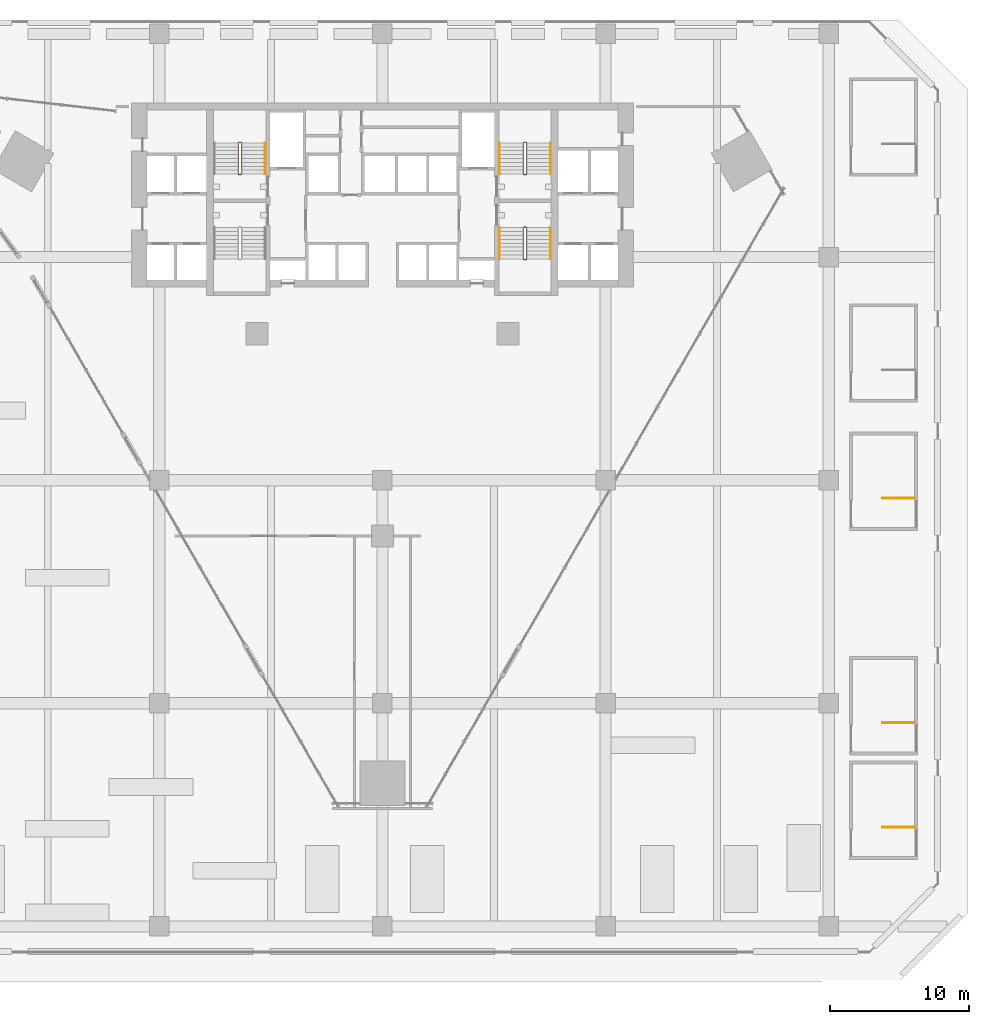
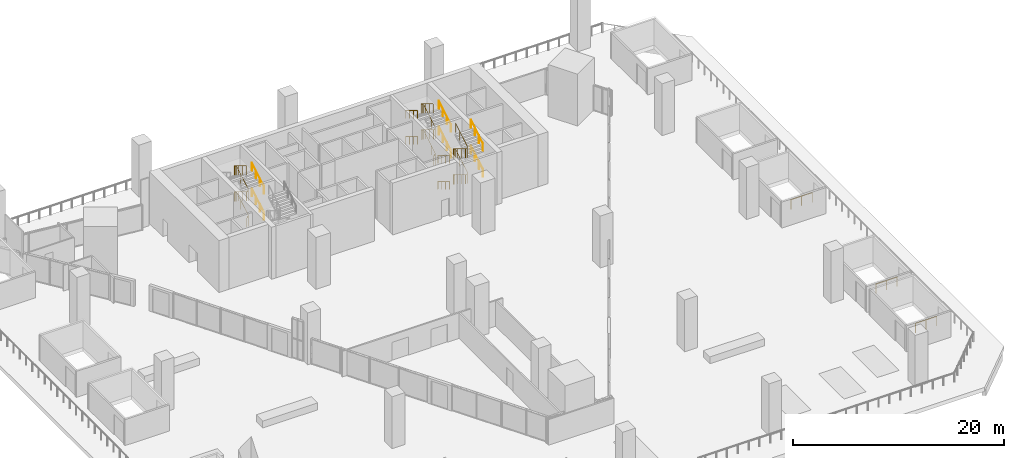
# One storey, part 24 of 25: 16 railings.
"""IFC4 building model written with IfcOpenShell, lengths in metres."""

from ifc_helpers import new_model, si_unit, direction, frame, origin, origin_2d, place, context, subcontext, project, spatial, circle, extrude, material, type_object, element, save


model = new_model("IFC4")

# Units and contexts
model_context = context("Model", 3, precision=1e-05, world=origin(), true_north=direction((0.0, 1.0)))
body_context = subcontext(model_context, "Body", "Model", "MODEL_VIEW")
ifc_project = project(units=[si_unit("LENGTHUNIT", "METRE"), si_unit("AREAUNIT", "SQUARE_METRE"), si_unit("VOLUMEUNIT", "CUBIC_METRE"), si_unit("PLANEANGLEUNIT", "RADIAN"), si_unit("MASSUNIT", "GRAM", prefix="KILO")], contexts=[model_context])

# Site, building, storey
site_placement = place(None, origin())
site = spatial("IfcSite", under=ifc_project, at=site_placement, CompositionType="ELEMENT")
building_placement = place(site_placement, origin())
building = spatial("IfcBuilding", under=site, at=building_placement, Name="Calabash Gate Tower", CompositionType="ELEMENT")
storey_placement = place(building_placement, frame((0.0, 0.0, 40.0)))
storey = spatial("IfcBuildingStorey", under=building, at=storey_placement, Name="L05", CompositionType="ELEMENT", Elevation=40.0)

# Railings
ifc_material_1 = material(Name="Black powder-coated steel balusters", Category="steel")
railing_type_1 = type_object("IfcRailingType", Name="Stair guard RL1100", PredefinedType="GUARDRAIL", material=ifc_material_1)
railing_1_placement = place(storey_placement, frame((-10.14990234375, 13.902587890625, 0.0)))
element("IfcRailing", 1, at=railing_1_placement, inside=storey, type_object=railing_type_1, Name="L05 ST1 stair guard 1", PredefinedType="GUARDRAIL", context=body_context, shape_type="SweptSolid", body=[
    extrude(circle(Radius=0.02392578125, at=origin_2d()), frame((0.0, 0.0, 1.076171875), z_axis=(-1.0, 0.0, 0.0), x_axis=(0.0, -1.0, 0.0)), (0.0, 0.0, 1.0), 0.150146484375),
    extrude(circle(Radius=0.02392578125, at=origin_2d()), frame((-0.150146484375, 0.0, 1.076171875), z_axis=(0.754182335027, 0.188775798145, 0.628945707965), x_axis=(-0.242814311512, 0.970072785993, 0.0)), (0.0, 0.0, 1.0), 0.26513671875),
    extrude(circle(Radius=0.02392578125, at=origin_2d()), frame((0.0498046875, 0.050048828125, 1.24267578125), z_axis=(0.0, 0.858493888361, 0.512823793955), x_axis=(-1.0, 0.0, 0.0)), (0.0, 0.0, 1.0), 2.599853515625),
    extrude(circle(Radius=0.02392578125, at=origin_2d()), frame((0.0498046875, 2.281982421875, 2.576171875), z_axis=(-0.705375805398, 0.708833529934, 0.0), x_axis=(-0.708833529934, -0.705375805398, 0.0)), (0.0, 0.0, 1.0), 0.070556640625),
    extrude(circle(Radius=0.02392578125, at=origin_2d()), frame((0.0, 2.33203125, 2.576171875), z_axis=(-1.0, 0.0, 0.0), x_axis=(0.0, -1.0, 0.0)), (0.0, 0.0, 1.0), 0.150146484375),
    extrude(circle(Radius=0.02392578125, at=origin_2d()), frame((-0.150146484375, 2.33203125, 2.576171875), z_axis=(-0.27628659633, -0.27628659633, 0.920506074601), x_axis=(0.707106781187, -0.707106781187, 0.0)), (0.0, 0.0, 1.0), 0.18115234375),
    extrude(circle(Radius=0.02392578125, at=origin_2d()), frame((-0.2001953125, 2.281982421875, 2.74267578125), z_axis=(0.0, -0.858493888361, 0.512823793955), x_axis=(1.0, 0.0, 0.0)), (0.0, 0.0, 1.0), 2.599853515625),
    extrude(circle(Radius=0.02392578125, at=origin_2d()), frame((-0.2001953125, 0.050048828125, 4.076171875), z_axis=(0.970142500145, -0.242535625036, 0.0), x_axis=(0.242535625036, 0.970142500145, 0.0)), (0.0, 0.0, 1.0), 0.206298828125),
    extrude(circle(Radius=0.02392578125, at=origin_2d()), frame((0.0, 0.0, 4.076171875), z_axis=(-1.0, 0.0, 0.0), x_axis=(0.0, -1.0, 0.0)), (0.0, 0.0, 1.0), 0.150146484375),
    extrude(circle(Radius=0.02392578125, at=origin_2d()), frame((-0.150146484375, 0.0, 4.076171875), z_axis=(0.754182335027, 0.188775798145, 0.628945707965), x_axis=(-0.242814311512, 0.970072785993, 0.0)), (0.0, 0.0, 1.0), 0.26513671875),
    extrude(circle(Radius=0.02392578125, at=origin_2d()), frame((0.0498046875, 0.050048828125, 4.24267578125), z_axis=(0.0, 0.858493888361, 0.512823793955), x_axis=(-1.0, 0.0, 0.0)), (0.0, 0.0, 1.0), 2.599853515625),
    extrude(circle(Radius=0.02392578125, at=origin_2d()), frame((0.0498046875, 2.281982421875, 5.576171875), z_axis=(-0.705375805398, 0.708833529934, 0.0), x_axis=(-0.708833529934, -0.705375805398, 0.0)), (0.0, 0.0, 1.0), 0.070556640625),
    extrude(circle(Radius=0.02392578125, at=origin_2d()), frame((0.0, 2.33203125, 5.576171875), z_axis=(-1.0, 0.0, 0.0), x_axis=(0.0, -1.0, 0.0)), (0.0, 0.0, 1.0), 0.150146484375),
    extrude(circle(Radius=0.02392578125, at=origin_2d()), frame((-0.150146484375, 2.33203125, 5.576171875), z_axis=(-0.27628659633, -0.27628659633, 0.920506074601), x_axis=(0.707106781187, -0.707106781187, 0.0)), (0.0, 0.0, 1.0), 0.18115234375),
    extrude(circle(Radius=0.02392578125, at=origin_2d()), frame((-0.2001953125, 2.281982421875, 5.74267578125), z_axis=(0.0, -0.858493888361, 0.512823793955), x_axis=(1.0, 0.0, 0.0)), (0.0, 0.0, 1.0), 2.599853515625),
    extrude(circle(Radius=0.02099609375, at=origin_2d()), origin(), (0.0, 0.0, 1.0), 1.052001953125),
    extrude(circle(Radius=0.02099609375, at=origin_2d()), frame((-0.150146484375, 0.0, 0.0)), (0.0, 0.0, 1.0), 1.052001953125),
    extrude(circle(Radius=0.02099609375, at=origin_2d()), frame((0.0498046875, 0.050048828125, 0.166748046875)), (0.0, 0.0, 1.0), 1.052001953125),
    extrude(circle(Radius=0.02099609375, at=origin_2d()), frame((0.0498046875, 0.7939453125, 0.611083984375)), (0.0, 0.0, 1.0), 1.052001953125),
    extrude(circle(Radius=0.02099609375, at=origin_2d()), frame((0.0498046875, 1.5380859375, 1.0556640625)), (0.0, 0.0, 1.0), 1.052001953125),
    extrude(circle(Radius=0.02099609375, at=origin_2d()), frame((0.0498046875, 2.281982421875, 1.5)), (0.0, 0.0, 1.0), 1.052001953125),
    extrude(circle(Radius=0.02099609375, at=origin_2d()), frame((0.0, 2.33203125, 1.5)), (0.0, 0.0, 1.0), 1.052001953125),
    extrude(circle(Radius=0.02099609375, at=origin_2d()), frame((-0.150146484375, 2.33203125, 1.5)), (0.0, 0.0, 1.0), 1.052001953125),
    extrude(circle(Radius=0.02099609375, at=origin_2d()), frame((-0.2001953125, 2.281982421875, 1.666748046875)), (0.0, 0.0, 1.0), 1.052001953125),
    extrude(circle(Radius=0.02099609375, at=origin_2d()), frame((-0.2001953125, 1.5380859375, 2.111083984375)), (0.0, 0.0, 1.0), 1.052001953125),
    extrude(circle(Radius=0.02099609375, at=origin_2d()), frame((-0.2001953125, 0.7939453125, 2.5556640625)), (0.0, 0.0, 1.0), 1.052001953125),
    extrude(circle(Radius=0.02099609375, at=origin_2d()), frame((-0.2001953125, 0.050048828125, 3.0)), (0.0, 0.0, 1.0), 1.052001953125),
    extrude(circle(Radius=0.02099609375, at=origin_2d()), frame((0.0, 0.0, 3.0)), (0.0, 0.0, 1.0), 1.052001953125),
    extrude(circle(Radius=0.02099609375, at=origin_2d()), frame((-0.150146484375, 0.0, 3.0)), (0.0, 0.0, 1.0), 1.052001953125),
    extrude(circle(Radius=0.02099609375, at=origin_2d()), frame((0.0498046875, 0.050048828125, 3.166748046875)), (0.0, 0.0, 1.0), 1.052001953125),
    extrude(circle(Radius=0.02099609375, at=origin_2d()), frame((0.0498046875, 0.7939453125, 3.611083984375)), (0.0, 0.0, 1.0), 1.052001953125),
    extrude(circle(Radius=0.02099609375, at=origin_2d()), frame((0.0498046875, 1.5380859375, 4.0556640625)), (0.0, 0.0, 1.0), 1.052001953125),
    extrude(circle(Radius=0.02099609375, at=origin_2d()), frame((0.0498046875, 2.281982421875, 4.5)), (0.0, 0.0, 1.0), 1.052001953125),
    extrude(circle(Radius=0.02099609375, at=origin_2d()), frame((0.0, 2.33203125, 4.5)), (0.0, 0.0, 1.0), 1.052001953125),
    extrude(circle(Radius=0.02099609375, at=origin_2d()), frame((-0.150146484375, 2.33203125, 4.5)), (0.0, 0.0, 1.0), 1.052001953125),
    extrude(circle(Radius=0.02099609375, at=origin_2d()), frame((-0.2001953125, 2.281982421875, 4.666748046875)), (0.0, 0.0, 1.0), 1.052001953125),
    extrude(circle(Radius=0.02099609375, at=origin_2d()), frame((-0.2001953125, 1.5380859375, 5.111083984375)), (0.0, 0.0, 1.0), 1.052001953125),
    extrude(circle(Radius=0.02099609375, at=origin_2d()), frame((-0.2001953125, 0.7939453125, 5.5556640625)), (0.0, 0.0, 1.0), 1.052001953125),
    extrude(circle(Radius=0.02099609375, at=origin_2d()), frame((-0.2001953125, 0.050048828125, 6.0)), (0.0, 0.0, 1.0), 1.052001953125),
])
railing_2_placement = place(storey_placement, frame((10.300048828125, 13.902587890625, 0.0)))
element("IfcRailing", 2, at=railing_2_placement, inside=storey, type_object=railing_type_1, Name="L05 ST3 stair guard 1", PredefinedType="GUARDRAIL", context=body_context, shape_type="SweptSolid", body=[
    extrude(circle(Radius=0.02392578125, at=origin_2d()), frame((0.0, 0.0, 1.076171875), z_axis=(-1.0, 0.0, 0.0), x_axis=(0.0, -1.0, 0.0)), (0.0, 0.0, 1.0), 0.150146484375),
    extrude(circle(Radius=0.02392578125, at=origin_2d()), frame((-0.150146484375, 0.0, 1.076171875), z_axis=(0.75457900375, 0.188644750937, 0.628509097026), x_axis=(-0.242535625036, 0.970142500145, 0.0)), (0.0, 0.0, 1.0), 0.265380859375),
    extrude(circle(Radius=0.02392578125, at=origin_2d()), frame((0.050048828125, 0.050048828125, 1.24267578125), z_axis=(0.0, 0.858493888361, 0.512823793955), x_axis=(-1.0, 0.0, 0.0)), (0.0, 0.0, 1.0), 2.599853515625),
    extrude(circle(Radius=0.02392578125, at=origin_2d()), frame((0.050048828125, 2.281982421875, 2.576171875), z_axis=(-0.707106781187, 0.707106781187, 0.0), x_axis=(-0.707106781187, -0.707106781187, 0.0)), (0.0, 0.0, 1.0), 0.07080078125),
    extrude(circle(Radius=0.02392578125, at=origin_2d()), frame((0.0, 2.33203125, 2.576171875), z_axis=(-1.0, 0.0, 0.0), x_axis=(0.0, -1.0, 0.0)), (0.0, 0.0, 1.0), 0.150146484375),
    extrude(circle(Radius=0.02392578125, at=origin_2d()), frame((-0.150146484375, 2.33203125, 2.576171875), z_axis=(-0.275041040955, -0.276389281352, 0.920848191041), x_axis=(0.708833529934, -0.705375805398, 0.0)), (0.0, 0.0, 1.0), 0.18115234375),
    extrude(circle(Radius=0.02392578125, at=origin_2d()), frame((-0.199951171875, 2.281982421875, 2.74267578125), z_axis=(0.0, -0.858493888361, 0.512823793955), x_axis=(1.0, 0.0, 0.0)), (0.0, 0.0, 1.0), 2.599853515625),
    extrude(circle(Radius=0.02392578125, at=origin_2d()), frame((-0.199951171875, 0.050048828125, 4.076171875), z_axis=(0.970072785993, -0.242814311512, 0.0), x_axis=(0.242814311512, 0.970072785993, 0.0)), (0.0, 0.0, 1.0), 0.2060546875),
    extrude(circle(Radius=0.02392578125, at=origin_2d()), frame((0.0, 0.0, 4.076171875), z_axis=(-1.0, 0.0, 0.0), x_axis=(0.0, -1.0, 0.0)), (0.0, 0.0, 1.0), 0.150146484375),
    extrude(circle(Radius=0.02392578125, at=origin_2d()), frame((-0.150146484375, 0.0, 4.076171875), z_axis=(0.75457900375, 0.188644750937, 0.628509097026), x_axis=(-0.242535625036, 0.970142500145, 0.0)), (0.0, 0.0, 1.0), 0.265380859375),
    extrude(circle(Radius=0.02392578125, at=origin_2d()), frame((0.050048828125, 0.050048828125, 4.24267578125), z_axis=(0.0, 0.858493888361, 0.512823793955), x_axis=(-1.0, 0.0, 0.0)), (0.0, 0.0, 1.0), 2.599853515625),
    extrude(circle(Radius=0.02392578125, at=origin_2d()), frame((0.050048828125, 2.281982421875, 5.576171875), z_axis=(-0.707106781187, 0.707106781187, 0.0), x_axis=(-0.707106781187, -0.707106781187, 0.0)), (0.0, 0.0, 1.0), 0.07080078125),
    extrude(circle(Radius=0.02392578125, at=origin_2d()), frame((0.0, 2.33203125, 5.576171875), z_axis=(-1.0, 0.0, 0.0), x_axis=(0.0, -1.0, 0.0)), (0.0, 0.0, 1.0), 0.150146484375),
    extrude(circle(Radius=0.02392578125, at=origin_2d()), frame((-0.150146484375, 2.33203125, 5.576171875), z_axis=(-0.275041040955, -0.276389281352, 0.920848191041), x_axis=(0.708833529934, -0.705375805398, 0.0)), (0.0, 0.0, 1.0), 0.18115234375),
    extrude(circle(Radius=0.02392578125, at=origin_2d()), frame((-0.199951171875, 2.281982421875, 5.74267578125), z_axis=(0.0, -0.858493888361, 0.512823793955), x_axis=(1.0, 0.0, 0.0)), (0.0, 0.0, 1.0), 2.599853515625),
    extrude(circle(Radius=0.02099609375, at=origin_2d()), origin(), (0.0, 0.0, 1.0), 1.052001953125),
    extrude(circle(Radius=0.02099609375, at=origin_2d()), frame((-0.150146484375, 0.0, 0.0)), (0.0, 0.0, 1.0), 1.052001953125),
    extrude(circle(Radius=0.02099609375, at=origin_2d()), frame((0.050048828125, 0.050048828125, 0.166748046875)), (0.0, 0.0, 1.0), 1.052001953125),
    extrude(circle(Radius=0.02099609375, at=origin_2d()), frame((0.050048828125, 0.7939453125, 0.611083984375)), (0.0, 0.0, 1.0), 1.052001953125),
    extrude(circle(Radius=0.02099609375, at=origin_2d()), frame((0.050048828125, 1.5380859375, 1.0556640625)), (0.0, 0.0, 1.0), 1.052001953125),
    extrude(circle(Radius=0.02099609375, at=origin_2d()), frame((0.050048828125, 2.281982421875, 1.5)), (0.0, 0.0, 1.0), 1.052001953125),
    extrude(circle(Radius=0.02099609375, at=origin_2d()), frame((0.0, 2.33203125, 1.5)), (0.0, 0.0, 1.0), 1.052001953125),
    extrude(circle(Radius=0.02099609375, at=origin_2d()), frame((-0.150146484375, 2.33203125, 1.5)), (0.0, 0.0, 1.0), 1.052001953125),
    extrude(circle(Radius=0.02099609375, at=origin_2d()), frame((-0.199951171875, 2.281982421875, 1.666748046875)), (0.0, 0.0, 1.0), 1.052001953125),
    extrude(circle(Radius=0.02099609375, at=origin_2d()), frame((-0.199951171875, 1.5380859375, 2.111083984375)), (0.0, 0.0, 1.0), 1.052001953125),
    extrude(circle(Radius=0.02099609375, at=origin_2d()), frame((-0.199951171875, 0.7939453125, 2.5556640625)), (0.0, 0.0, 1.0), 1.052001953125),
    extrude(circle(Radius=0.02099609375, at=origin_2d()), frame((-0.199951171875, 0.050048828125, 3.0)), (0.0, 0.0, 1.0), 1.052001953125),
    extrude(circle(Radius=0.02099609375, at=origin_2d()), frame((0.0, 0.0, 3.0)), (0.0, 0.0, 1.0), 1.052001953125),
    extrude(circle(Radius=0.02099609375, at=origin_2d()), frame((-0.150146484375, 0.0, 3.0)), (0.0, 0.0, 1.0), 1.052001953125),
    extrude(circle(Radius=0.02099609375, at=origin_2d()), frame((0.050048828125, 0.050048828125, 3.166748046875)), (0.0, 0.0, 1.0), 1.052001953125),
    extrude(circle(Radius=0.02099609375, at=origin_2d()), frame((0.050048828125, 0.7939453125, 3.611083984375)), (0.0, 0.0, 1.0), 1.052001953125),
    extrude(circle(Radius=0.02099609375, at=origin_2d()), frame((0.050048828125, 1.5380859375, 4.0556640625)), (0.0, 0.0, 1.0), 1.052001953125),
    extrude(circle(Radius=0.02099609375, at=origin_2d()), frame((0.050048828125, 2.281982421875, 4.5)), (0.0, 0.0, 1.0), 1.052001953125),
    extrude(circle(Radius=0.02099609375, at=origin_2d()), frame((0.0, 2.33203125, 4.5)), (0.0, 0.0, 1.0), 1.052001953125),
    extrude(circle(Radius=0.02099609375, at=origin_2d()), frame((-0.150146484375, 2.33203125, 4.5)), (0.0, 0.0, 1.0), 1.052001953125),
    extrude(circle(Radius=0.02099609375, at=origin_2d()), frame((-0.199951171875, 2.281982421875, 4.666748046875)), (0.0, 0.0, 1.0), 1.052001953125),
    extrude(circle(Radius=0.02099609375, at=origin_2d()), frame((-0.199951171875, 1.5380859375, 5.111083984375)), (0.0, 0.0, 1.0), 1.052001953125),
    extrude(circle(Radius=0.02099609375, at=origin_2d()), frame((-0.199951171875, 0.7939453125, 5.5556640625)), (0.0, 0.0, 1.0), 1.052001953125),
    extrude(circle(Radius=0.02099609375, at=origin_2d()), frame((-0.199951171875, 0.050048828125, 6.0)), (0.0, 0.0, 1.0), 1.052001953125),
])
railing_3_placement = place(storey_placement, frame((10.14990234375, 10.152587890625, 0.0)))
element("IfcRailing", 3, at=railing_3_placement, inside=storey, type_object=railing_type_1, Name="L05 ST4 stair guard 1", PredefinedType="GUARDRAIL", context=body_context, shape_type="SweptSolid", body=[
    extrude(circle(Radius=0.02392578125, at=origin_2d()), frame((0.0, 0.0, 1.076171875), z_axis=(1.0, 0.0, 0.0), x_axis=(0.0, 1.0, 0.0)), (0.0, 0.0, 1.0), 0.150146484375),
    extrude(circle(Radius=0.02392578125, at=origin_2d()), frame((0.150146484375, 0.0, 1.076171875), z_axis=(-0.754182335027, -0.188775798145, 0.628945707965), x_axis=(0.242814311512, -0.970072785993, 0.0)), (0.0, 0.0, 1.0), 0.26513671875),
    extrude(circle(Radius=0.02392578125, at=origin_2d()), frame((-0.0498046875, -0.050048828125, 1.24267578125), z_axis=(0.0, -0.858493888361, 0.512823793955), x_axis=(1.0, 0.0, 0.0)), (0.0, 0.0, 1.0), 2.599853515625),
    extrude(circle(Radius=0.02392578125, at=origin_2d()), frame((-0.0498046875, -2.281982421875, 2.576171875), z_axis=(0.705375805398, -0.708833529934, 0.0), x_axis=(0.708833529934, 0.705375805398, 0.0)), (0.0, 0.0, 1.0), 0.070556640625),
    extrude(circle(Radius=0.02392578125, at=origin_2d()), frame((0.0, -2.33203125, 2.576171875), z_axis=(1.0, 0.0, 0.0), x_axis=(0.0, 1.0, 0.0)), (0.0, 0.0, 1.0), 0.150146484375),
    extrude(circle(Radius=0.02392578125, at=origin_2d()), frame((0.150146484375, -2.33203125, 2.576171875), z_axis=(0.27628659633, 0.27628659633, 0.920506074601), x_axis=(-0.707106781187, 0.707106781187, 0.0)), (0.0, 0.0, 1.0), 0.18115234375),
    extrude(circle(Radius=0.02392578125, at=origin_2d()), frame((0.2001953125, -2.281982421875, 2.74267578125), z_axis=(0.0, 0.858493888361, 0.512823793955), x_axis=(-1.0, 0.0, 0.0)), (0.0, 0.0, 1.0), 2.599853515625),
    extrude(circle(Radius=0.02392578125, at=origin_2d()), frame((0.2001953125, -0.050048828125, 4.076171875), z_axis=(-0.970142500145, 0.242535625036, 0.0), x_axis=(-0.242535625036, -0.970142500145, 0.0)), (0.0, 0.0, 1.0), 0.206298828125),
    extrude(circle(Radius=0.02392578125, at=origin_2d()), frame((0.0, 0.0, 4.076171875), z_axis=(1.0, 0.0, 0.0), x_axis=(0.0, 1.0, 0.0)), (0.0, 0.0, 1.0), 0.150146484375),
    extrude(circle(Radius=0.02392578125, at=origin_2d()), frame((0.150146484375, 0.0, 4.076171875), z_axis=(-0.754182335027, -0.188775798145, 0.628945707965), x_axis=(0.242814311512, -0.970072785993, 0.0)), (0.0, 0.0, 1.0), 0.26513671875),
    extrude(circle(Radius=0.02392578125, at=origin_2d()), frame((-0.0498046875, -0.050048828125, 4.24267578125), z_axis=(0.0, -0.858493888361, 0.512823793955), x_axis=(1.0, 0.0, 0.0)), (0.0, 0.0, 1.0), 2.599853515625),
    extrude(circle(Radius=0.02392578125, at=origin_2d()), frame((-0.0498046875, -2.281982421875, 5.576171875), z_axis=(0.705375805398, -0.708833529934, 0.0), x_axis=(0.708833529934, 0.705375805398, 0.0)), (0.0, 0.0, 1.0), 0.070556640625),
    extrude(circle(Radius=0.02392578125, at=origin_2d()), frame((0.0, -2.33203125, 5.576171875), z_axis=(1.0, 0.0, 0.0), x_axis=(0.0, 1.0, 0.0)), (0.0, 0.0, 1.0), 0.150146484375),
    extrude(circle(Radius=0.02392578125, at=origin_2d()), frame((0.150146484375, -2.33203125, 5.576171875), z_axis=(0.27628659633, 0.27628659633, 0.920506074601), x_axis=(-0.707106781187, 0.707106781187, 0.0)), (0.0, 0.0, 1.0), 0.18115234375),
    extrude(circle(Radius=0.02392578125, at=origin_2d()), frame((0.2001953125, -2.281982421875, 5.74267578125), z_axis=(0.0, 0.858493888361, 0.512823793955), x_axis=(-1.0, 0.0, 0.0)), (0.0, 0.0, 1.0), 2.599853515625),
    extrude(circle(Radius=0.02099609375, at=origin_2d()), origin(), (0.0, 0.0, 1.0), 1.052001953125),
    extrude(circle(Radius=0.02099609375, at=origin_2d()), frame((0.150146484375, 0.0, 0.0)), (0.0, 0.0, 1.0), 1.052001953125),
    extrude(circle(Radius=0.02099609375, at=origin_2d()), frame((-0.0498046875, -0.050048828125, 0.166748046875)), (0.0, 0.0, 1.0), 1.052001953125),
    extrude(circle(Radius=0.02099609375, at=origin_2d()), frame((-0.0498046875, -0.7939453125, 0.611083984375)), (0.0, 0.0, 1.0), 1.052001953125),
    extrude(circle(Radius=0.02099609375, at=origin_2d()), frame((-0.0498046875, -1.5380859375, 1.0556640625)), (0.0, 0.0, 1.0), 1.052001953125),
    extrude(circle(Radius=0.02099609375, at=origin_2d()), frame((-0.0498046875, -2.281982421875, 1.5)), (0.0, 0.0, 1.0), 1.052001953125),
    extrude(circle(Radius=0.02099609375, at=origin_2d()), frame((0.0, -2.33203125, 1.5)), (0.0, 0.0, 1.0), 1.052001953125),
    extrude(circle(Radius=0.02099609375, at=origin_2d()), frame((0.150146484375, -2.33203125, 1.5)), (0.0, 0.0, 1.0), 1.052001953125),
    extrude(circle(Radius=0.02099609375, at=origin_2d()), frame((0.2001953125, -2.281982421875, 1.666748046875)), (0.0, 0.0, 1.0), 1.052001953125),
    extrude(circle(Radius=0.02099609375, at=origin_2d()), frame((0.2001953125, -1.5380859375, 2.111083984375)), (0.0, 0.0, 1.0), 1.052001953125),
    extrude(circle(Radius=0.02099609375, at=origin_2d()), frame((0.2001953125, -0.7939453125, 2.5556640625)), (0.0, 0.0, 1.0), 1.052001953125),
    extrude(circle(Radius=0.02099609375, at=origin_2d()), frame((0.2001953125, -0.050048828125, 3.0)), (0.0, 0.0, 1.0), 1.052001953125),
    extrude(circle(Radius=0.02099609375, at=origin_2d()), frame((0.0, 0.0, 3.0)), (0.0, 0.0, 1.0), 1.052001953125),
    extrude(circle(Radius=0.02099609375, at=origin_2d()), frame((0.150146484375, 0.0, 3.0)), (0.0, 0.0, 1.0), 1.052001953125),
    extrude(circle(Radius=0.02099609375, at=origin_2d()), frame((-0.0498046875, -0.050048828125, 3.166748046875)), (0.0, 0.0, 1.0), 1.052001953125),
    extrude(circle(Radius=0.02099609375, at=origin_2d()), frame((-0.0498046875, -0.7939453125, 3.611083984375)), (0.0, 0.0, 1.0), 1.052001953125),
    extrude(circle(Radius=0.02099609375, at=origin_2d()), frame((-0.0498046875, -1.5380859375, 4.0556640625)), (0.0, 0.0, 1.0), 1.052001953125),
    extrude(circle(Radius=0.02099609375, at=origin_2d()), frame((-0.0498046875, -2.281982421875, 4.5)), (0.0, 0.0, 1.0), 1.052001953125),
    extrude(circle(Radius=0.02099609375, at=origin_2d()), frame((0.0, -2.33203125, 4.5)), (0.0, 0.0, 1.0), 1.052001953125),
    extrude(circle(Radius=0.02099609375, at=origin_2d()), frame((0.150146484375, -2.33203125, 4.5)), (0.0, 0.0, 1.0), 1.052001953125),
    extrude(circle(Radius=0.02099609375, at=origin_2d()), frame((0.2001953125, -2.281982421875, 4.666748046875)), (0.0, 0.0, 1.0), 1.052001953125),
    extrude(circle(Radius=0.02099609375, at=origin_2d()), frame((0.2001953125, -1.5380859375, 5.111083984375)), (0.0, 0.0, 1.0), 1.052001953125),
    extrude(circle(Radius=0.02099609375, at=origin_2d()), frame((0.2001953125, -0.7939453125, 5.5556640625)), (0.0, 0.0, 1.0), 1.052001953125),
    extrude(circle(Radius=0.02099609375, at=origin_2d()), frame((0.2001953125, -0.050048828125, 6.0)), (0.0, 0.0, 1.0), 1.052001953125),
])
for number, where, name in (
    (4, (38.169921875, -32.889892578125, 0.0), "L05 PS6 top well guard 1"),
    (5, (38.169921875, -25.389892578125, 0.0), "L05 PS7 top well guard 1"),
    (6, (38.169921875, -9.2900390625, 0.0), "L05 PS8 top well guard 1"),
):
    element("IfcRailing", number, at=place(storey_placement, frame(where)), inside=storey, type_object=railing_type_1, Name=name, PredefinedType="GUARDRAIL", context=body_context, shape_type="SweptSolid", body=[
        extrude(circle(Radius=0.02392578125, at=origin_2d()), frame((0.0, 0.0, 1.076171875), z_axis=(-1.0, 0.0, 0.0), x_axis=(0.0, -1.0, 0.0)), (0.0, 0.0, 1.0), 2.309814453125),
        extrude(circle(Radius=0.02099609375, at=origin_2d()), origin(), (0.0, 0.0, 1.0), 1.052001953125),
        extrude(circle(Radius=0.02099609375, at=origin_2d()), frame((-1.15478515625, 0.0, 0.0)), (0.0, 0.0, 1.0), 1.052001953125),
        extrude(circle(Radius=0.02099609375, at=origin_2d()), frame((-2.309814453125, 0.0, 0.0)), (0.0, 0.0, 1.0), 1.052001953125),
    ])
ifc_material_2 = material(Name="Black powder-coated steel tube 48 mm", Category="steel")
railing_type_2 = type_object("IfcRailingType", Name="Stair handrail RL900", PredefinedType="HANDRAIL", material=ifc_material_2)
for number, where, name in (
    (7, (-8.39990234375, 13.95263671875, 0.166748046875), "L05 ST1 stair handrail 1"),
    (8, (-8.39990234375, 13.95263671875, 3.166748046875), "L05 ST1 stair handrail 3"),
    (9, (12.050048828125, 13.95263671875, 0.166748046875), "L05 ST3 stair handrail 1"),
):
    element("IfcRailing", number, at=place(storey_placement, frame(where)), inside=storey, type_object=railing_type_2, Name=name, PredefinedType="HANDRAIL", context=body_context, shape_type="SweptSolid", body=[
        extrude(circle(Radius=0.02392578125, at=origin_2d()), frame((0.0, 0.0, 0.8759765625), z_axis=(0.0, 0.858493888361, 0.512823793955), x_axis=(-1.0, 0.0, 0.0)), (0.0, 0.0, 1.0), 2.599853515625),
        extrude(circle(Radius=0.02099609375, at=origin_2d()), origin(), (0.0, 0.0, 1.0), 0.851806640625),
        extrude(circle(Radius=0.02099609375, at=origin_2d()), frame((0.0, 0.743896484375, 0.4443359375)), (0.0, 0.0, 1.0), 0.851806640625),
        extrude(circle(Radius=0.02099609375, at=origin_2d()), frame((0.0, 1.488037109375, 0.888916015625)), (0.0, 0.0, 1.0), 0.851806640625),
        extrude(circle(Radius=0.02099609375, at=origin_2d()), frame((0.0, 2.23193359375, 1.333251953125)), (0.0, 0.0, 1.0), 0.851806640625),
    ])
railing_4_placement = place(storey_placement, frame((8.39990234375, 16.1845703125, 1.666748046875)))
element("IfcRailing", 10, at=railing_4_placement, inside=storey, type_object=railing_type_2, Name="L05 ST3 stair handrail 2", PredefinedType="HANDRAIL", context=body_context, shape_type="SweptSolid", body=[
    extrude(circle(Radius=0.02392578125, at=origin_2d()), frame((0.0, 0.0, 0.8759765625), z_axis=(0.0, -0.858493888361, 0.512823793955), x_axis=(1.0, 0.0, 0.0)), (0.0, 0.0, 1.0), 2.599853515625),
    extrude(circle(Radius=0.02099609375, at=origin_2d()), origin(), (0.0, 0.0, 1.0), 0.851806640625),
    extrude(circle(Radius=0.02099609375, at=origin_2d()), frame((0.0, -0.743896484375, 0.4443359375)), (0.0, 0.0, 1.0), 0.851806640625),
    extrude(circle(Radius=0.02099609375, at=origin_2d()), frame((0.0, -1.488037109375, 0.888916015625)), (0.0, 0.0, 1.0), 0.851806640625),
    extrude(circle(Radius=0.02099609375, at=origin_2d()), frame((0.0, -2.23193359375, 1.333251953125)), (0.0, 0.0, 1.0), 0.851806640625),
])
railing_5_placement = place(storey_placement, frame((12.050048828125, 13.95263671875, 3.166748046875)))
element("IfcRailing", 11, at=railing_5_placement, inside=storey, type_object=railing_type_2, Name="L05 ST3 stair handrail 3", PredefinedType="HANDRAIL", context=body_context, shape_type="SweptSolid", body=[
    extrude(circle(Radius=0.02392578125, at=origin_2d()), frame((0.0, 0.0, 0.8759765625), z_axis=(0.0, 0.858493888361, 0.512823793955), x_axis=(-1.0, 0.0, 0.0)), (0.0, 0.0, 1.0), 2.599853515625),
    extrude(circle(Radius=0.02099609375, at=origin_2d()), origin(), (0.0, 0.0, 1.0), 0.851806640625),
    extrude(circle(Radius=0.02099609375, at=origin_2d()), frame((0.0, 0.743896484375, 0.4443359375)), (0.0, 0.0, 1.0), 0.851806640625),
    extrude(circle(Radius=0.02099609375, at=origin_2d()), frame((0.0, 1.488037109375, 0.888916015625)), (0.0, 0.0, 1.0), 0.851806640625),
    extrude(circle(Radius=0.02099609375, at=origin_2d()), frame((0.0, 2.23193359375, 1.333251953125)), (0.0, 0.0, 1.0), 0.851806640625),
])
for number, where, name in (
    (12, (8.39990234375, 16.1845703125, 4.666748046875), "L05 ST3 stair handrail 4"),
    (13, (8.39990234375, 10.1025390625, 0.166748046875), "L05 ST4 stair handrail 1"),
):
    element("IfcRailing", number, at=place(storey_placement, frame(where)), inside=storey, type_object=railing_type_2, Name=name, PredefinedType="HANDRAIL", context=body_context, shape_type="SweptSolid", body=[
        extrude(circle(Radius=0.02392578125, at=origin_2d()), frame((0.0, 0.0, 0.8759765625), z_axis=(0.0, -0.858493888361, 0.512823793955), x_axis=(1.0, 0.0, 0.0)), (0.0, 0.0, 1.0), 2.599853515625),
        extrude(circle(Radius=0.02099609375, at=origin_2d()), origin(), (0.0, 0.0, 1.0), 0.851806640625),
        extrude(circle(Radius=0.02099609375, at=origin_2d()), frame((0.0, -0.743896484375, 0.4443359375)), (0.0, 0.0, 1.0), 0.851806640625),
        extrude(circle(Radius=0.02099609375, at=origin_2d()), frame((0.0, -1.488037109375, 0.888916015625)), (0.0, 0.0, 1.0), 0.851806640625),
        extrude(circle(Radius=0.02099609375, at=origin_2d()), frame((0.0, -2.23193359375, 1.333251953125)), (0.0, 0.0, 1.0), 0.851806640625),
    ])
railing_6_placement = place(storey_placement, frame((12.050048828125, 7.87060546875, 1.666748046875)))
element("IfcRailing", 14, at=railing_6_placement, inside=storey, type_object=railing_type_2, Name="L05 ST4 stair handrail 2", PredefinedType="HANDRAIL", context=body_context, shape_type="SweptSolid", body=[
    extrude(circle(Radius=0.02392578125, at=origin_2d()), frame((0.0, 0.0, 0.8759765625), z_axis=(0.0, 0.858493888361, 0.512823793955), x_axis=(-1.0, 0.0, 0.0)), (0.0, 0.0, 1.0), 2.599853515625),
    extrude(circle(Radius=0.02099609375, at=origin_2d()), origin(), (0.0, 0.0, 1.0), 0.851806640625),
    extrude(circle(Radius=0.02099609375, at=origin_2d()), frame((0.0, 0.743896484375, 0.4443359375)), (0.0, 0.0, 1.0), 0.851806640625),
    extrude(circle(Radius=0.02099609375, at=origin_2d()), frame((0.0, 1.488037109375, 0.888916015625)), (0.0, 0.0, 1.0), 0.851806640625),
    extrude(circle(Radius=0.02099609375, at=origin_2d()), frame((0.0, 2.23193359375, 1.333251953125)), (0.0, 0.0, 1.0), 0.851806640625),
])
railing_7_placement = place(storey_placement, frame((8.39990234375, 10.1025390625, 3.166748046875)))
element("IfcRailing", 15, at=railing_7_placement, inside=storey, type_object=railing_type_2, Name="L05 ST4 stair handrail 3", PredefinedType="HANDRAIL", context=body_context, shape_type="SweptSolid", body=[
    extrude(circle(Radius=0.02392578125, at=origin_2d()), frame((0.0, 0.0, 0.8759765625), z_axis=(0.0, -0.858493888361, 0.512823793955), x_axis=(1.0, 0.0, 0.0)), (0.0, 0.0, 1.0), 2.599853515625),
    extrude(circle(Radius=0.02099609375, at=origin_2d()), origin(), (0.0, 0.0, 1.0), 0.851806640625),
    extrude(circle(Radius=0.02099609375, at=origin_2d()), frame((0.0, -0.743896484375, 0.4443359375)), (0.0, 0.0, 1.0), 0.851806640625),
    extrude(circle(Radius=0.02099609375, at=origin_2d()), frame((0.0, -1.488037109375, 0.888916015625)), (0.0, 0.0, 1.0), 0.851806640625),
    extrude(circle(Radius=0.02099609375, at=origin_2d()), frame((0.0, -2.23193359375, 1.333251953125)), (0.0, 0.0, 1.0), 0.851806640625),
])
railing_8_placement = place(storey_placement, frame((12.050048828125, 7.87060546875, 4.666748046875)))
element("IfcRailing", 16, at=railing_8_placement, inside=storey, type_object=railing_type_2, Name="L05 ST4 stair handrail 4", PredefinedType="HANDRAIL", context=body_context, shape_type="SweptSolid", body=[
    extrude(circle(Radius=0.02392578125, at=origin_2d()), frame((0.0, 0.0, 0.8759765625), z_axis=(0.0, 0.858493888361, 0.512823793955), x_axis=(-1.0, 0.0, 0.0)), (0.0, 0.0, 1.0), 2.599853515625),
    extrude(circle(Radius=0.02099609375, at=origin_2d()), origin(), (0.0, 0.0, 1.0), 0.851806640625),
    extrude(circle(Radius=0.02099609375, at=origin_2d()), frame((0.0, 0.743896484375, 0.4443359375)), (0.0, 0.0, 1.0), 0.851806640625),
    extrude(circle(Radius=0.02099609375, at=origin_2d()), frame((0.0, 1.488037109375, 0.888916015625)), (0.0, 0.0, 1.0), 0.851806640625),
    extrude(circle(Radius=0.02099609375, at=origin_2d()), frame((0.0, 2.23193359375, 1.333251953125)), (0.0, 0.0, 1.0), 0.851806640625),
])

save(model, "model.ifc")
